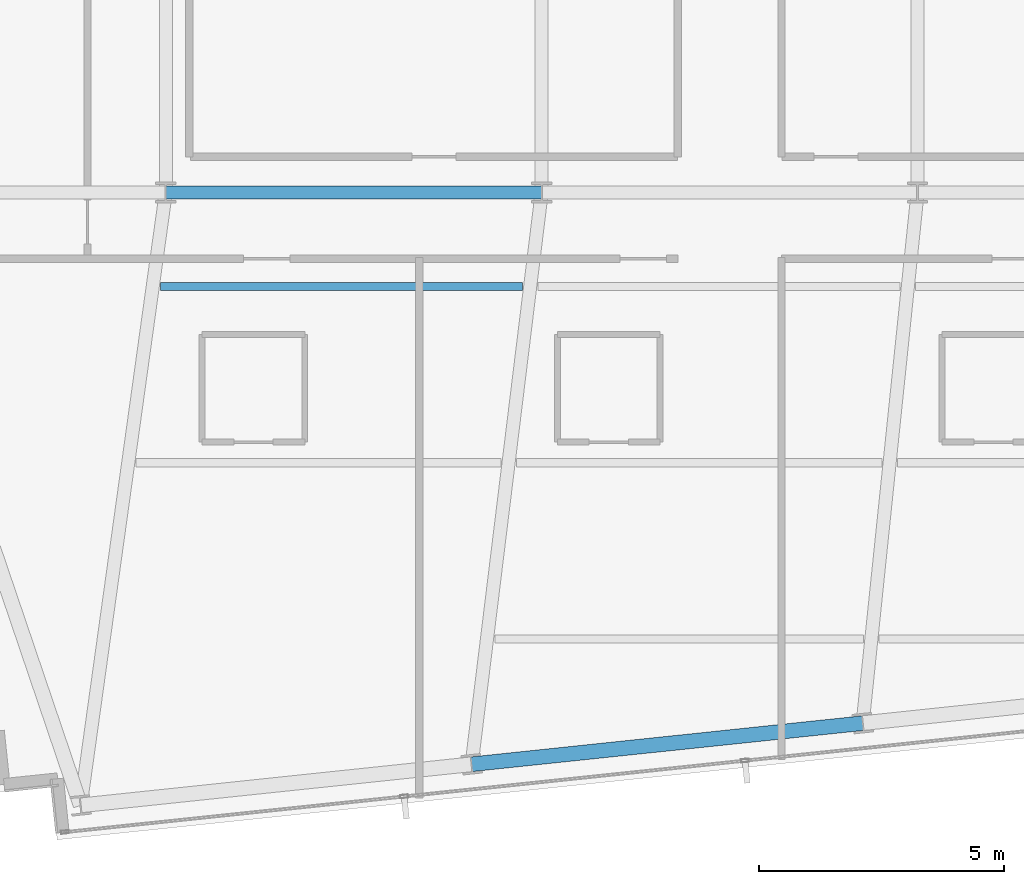
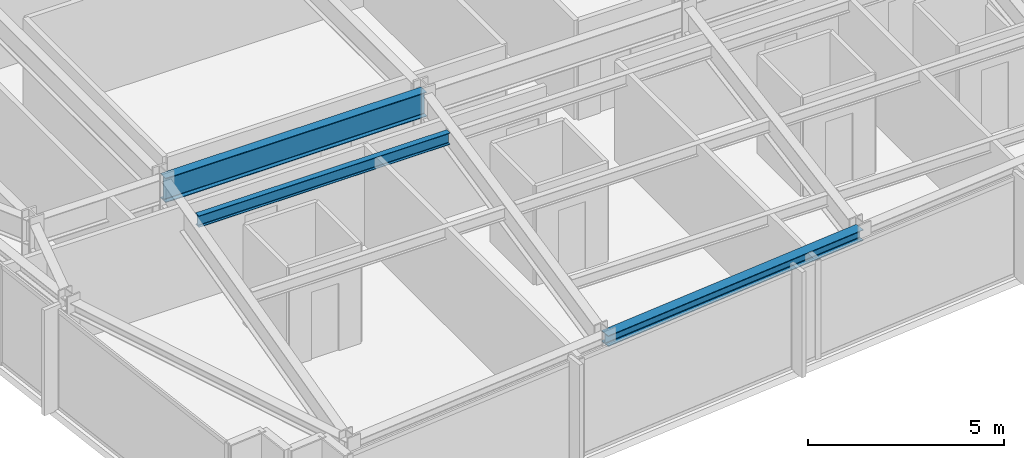
# One storey, part 6 of 33: 3 beams.
"""IFC4 building model written with IfcOpenShell, lengths in metres."""

import ifcopenshell
import ifcopenshell.guid

model = None  # the IFC model being written
_history = None  # IfcOwnerHistory: only IFC2X3 demands one
_inside = {}  # id of a spatial element -> (the spatial element, [elements in it])
_under = {}  # id of a project, library or spatial element -> (it, [spatial elements below it])
_declared = {}  # id of a project -> (the project, [libraries it declares])
_typed = {}  # id of a type object -> (the type object, [elements of that type])
_made_of = {}  # id of a material, layer set ... -> (it, [elements and type objects made of it])


def new_model(schema):
    """Start an empty IFC model of exactly this schema.

    Asked for "IFC4X3", IfcOpenShell would pick the latest addendum, in which some entities
    have other attributes; the version numbers below select the first issue.
    IFC2X3 requires an IfcOwnerHistory on every rooted entity: one is made here for all.
    """
    global model, _history
    if schema == "IFC4X3":
        model = ifcopenshell.file(schema_version=(4, 3, 0, 0))
    else:
        model = ifcopenshell.file(schema=schema)
    _inside.clear()
    _under.clear()
    _declared.clear()
    _typed.clear()
    _made_of.clear()
    _history = None
    if model.schema == "IFC2X3":
        org = make("IfcOrganization", Name="unknown")
        user = make(
            "IfcPersonAndOrganization",
            ThePerson=make("IfcPerson", FamilyName="unknown"),
            TheOrganization=org,
        )
        app = make(
            "IfcApplication",
            ApplicationDeveloper=org,
            Version="unknown",
            ApplicationFullName="unknown",
            ApplicationIdentifier="unknown",
        )
        _history = make(
            "IfcOwnerHistory",
            OwningUser=user,
            OwningApplication=app,
            ChangeAction="ADDED",
            CreationDate=0,
        )
    return model


def make(cls, **values):
    """One entity of the class cls with the attributes given. An attribute that is None is left unset."""
    return model.create_entity(
        cls, **{name: value for name, value in values.items() if value is not None}
    )


def rooted(cls, **values):
    """An entity with a GlobalId (a new one), such as an element, a storey or a relation."""
    return make(cls, GlobalId=ifcopenshell.guid.new(), OwnerHistory=_history, **values)


def si_unit(unit_type, name, prefix=None):
    """IfcSIUnit, for example si_unit("LENGTHUNIT", "METRE", prefix="MILLI")."""
    return make("IfcSIUnit", UnitType=unit_type, Prefix=prefix, Name=name)


def assignment(units):
    """IfcUnitAssignment: the units of a project."""
    return None if units is None else make("IfcUnitAssignment", Units=units)


def point(xyz):
    """IfcCartesianPoint."""
    return None if xyz is None else make("IfcCartesianPoint", Coordinates=xyz)


def direction(xyz):
    """IfcDirection."""
    return None if xyz is None else make("IfcDirection", DirectionRatios=xyz)


def frame(location, z_axis=None, x_axis=None):
    """IfcAxis2Placement3D, a coordinate frame: its origin and axes. An axis left out is left unset."""
    return make(
        "IfcAxis2Placement3D",
        Location=point(location),
        Axis=direction(z_axis),
        RefDirection=direction(x_axis),
    )


def frame_2d(location, x_axis=None):
    """IfcAxis2Placement2D, a coordinate frame in the plane: its origin and x axis."""
    return make(
        "IfcAxis2Placement2D", Location=point(location), RefDirection=direction(x_axis)
    )


def origin():
    """The frame at (0, 0, 0) with its axes left unset."""
    return frame((0.0, 0.0, 0.0))


def origin_2d():
    """The frame at (0, 0) in the plane with its x axis left unset."""
    return frame_2d((0.0, 0.0))


def place(relative_to, where):
    """IfcLocalPlacement: puts the frame where relative to a parent placement (None: the world)."""
    return make(
        "IfcLocalPlacement", PlacementRelTo=relative_to, RelativePlacement=where
    )


def context(
    kind, dimensions, precision=None, world=None, true_north=None, identifier=None
):
    """IfcGeometricRepresentationContext, for example the 3D "Model" context."""
    return make(
        "IfcGeometricRepresentationContext",
        ContextIdentifier=identifier,
        ContextType=kind,
        CoordinateSpaceDimension=dimensions,
        Precision=precision,
        WorldCoordinateSystem=world,
        TrueNorth=true_north,
    )


def subcontext(parent, identifier, kind, view, scale=None):
    """IfcGeometricRepresentationSubContext, for example "Body" below "Model"."""
    return make(
        "IfcGeometricRepresentationSubContext",
        ContextIdentifier=identifier,
        ContextType=kind,
        ParentContext=parent,
        TargetScale=scale,
        TargetView=view,
    )


def project(units=None, contexts=None):
    """IfcProject with its units and contexts."""
    return rooted(
        "IfcProject",
        Name="project",
        RepresentationContexts=contexts,
        UnitsInContext=assignment(units),
    )


def spatial(cls, under=None, at=None, **own):
    """A site, building, storey or space (cls), placed at a placement, below another one or the project."""
    s = rooted(cls, ObjectPlacement=at, **own)
    if under is not None:
        _under.setdefault(under.id(), (under, []))[1].append(s)
    return s


def profile(cls, at=None, kind="AREA", **sizes):
    """A parametric profile (cls). Its sizes go by their IFC names, for example OverallWidth=200.0."""
    return make(cls, ProfileType=kind, Position=at, **sizes)


def i_section(**sizes):
    """IfcIShapeProfileDef."""
    return profile("IfcIShapeProfileDef", **sizes)


def extrude(swept, where, along, depth):
    """IfcExtrudedAreaSolid: the profile swept, set in the frame where, extruded along a direction by depth."""
    return make(
        "IfcExtrudedAreaSolid",
        SweptArea=swept,
        Position=where,
        ExtrudedDirection=direction(along),
        Depth=depth,
    )


def shape(context_of_items, identifier, shape_type, items):
    """IfcShapeRepresentation: the items that make up one representation, for example the "Body"."""
    return make(
        "IfcShapeRepresentation",
        ContextOfItems=context_of_items,
        RepresentationIdentifier=identifier,
        RepresentationType=shape_type,
        Items=items,
    )


def material(Name=None, Category=None):
    """IfcMaterial."""
    return make("IfcMaterial", Name=Name, Category=Category)


def material_profile(
    of_material, cross_section, Name=None, Category=None, Priority=None
):
    """IfcMaterialProfile: a cross section and its material."""
    return make(
        "IfcMaterialProfile",
        Name=Name,
        Material=of_material,
        Profile=cross_section,
        Priority=Priority,
        Category=Category,
    )


def profile_set(profiles, Name=None, composite=None):
    """IfcMaterialProfileSet."""
    return make(
        "IfcMaterialProfileSet",
        Name=Name,
        MaterialProfiles=profiles,
        CompositeProfile=composite,
    )


def made_of(thing, what):
    """Note that an element or type object is made of a material, layer set ...; save() writes the relation."""
    if what is not None:
        _made_of.setdefault(what.id(), (what, []))[1].append(thing)
    return thing


def type_object(cls, material=None, **own):
    """A type object (cls), such as IfcWallType, which elements share."""
    return made_of(rooted(cls, **own), material)


def element(
    cls,
    number,
    at=None,
    inside=None,
    cuts=None,
    type_object=None,
    material=None,
    context=None,
    identifier="Body",
    shape_type=None,
    held_by="IfcProductDefinitionShape",
    body=None,
    shapes=None,
    **own,
):
    """One element of the class cls, such as IfcWall. Its Tag is "e" and its number.

    at: its placement. inside: the storey or other place that contains it. cuts: it is an
    opening in that element (IfcRelVoidsElement). A single representation is given by context,
    identifier, shape_type and body (its items); several are given by shapes. held_by: the class
    of the entity that holds the representations. save() writes the other relations.
    """
    e = rooted(cls, Tag="e%d" % number, ObjectPlacement=at, **own)
    if body is not None:
        shapes = [shape(context, identifier, shape_type, body)]
    if shapes is not None:
        e.Representation = make(held_by, Representations=shapes)
    if inside is not None:
        _inside.setdefault(inside.id(), (inside, []))[1].append(e)
    if cuts is not None:
        rooted(
            "IfcRelVoidsElement", RelatingBuildingElement=cuts, RelatedOpeningElement=e
        )
    if type_object is not None:
        _typed.setdefault(type_object.id(), (type_object, []))[1].append(e)
    return made_of(e, material)


def aggregate(whole, parts):
    """IfcRelAggregates: a whole, such as a stair, and the parts it consists of."""
    return rooted("IfcRelAggregates", RelatingObject=whole, RelatedObjects=parts)


def save(model, path):
    """Write the relations noted so far, then the file.

    IfcRelAggregates (storeys below a building ...), IfcRelContainedInSpatialStructure (elements
    in a storey), IfcRelDefinesByType, IfcRelAssociatesMaterial and IfcRelDeclares: one each for
    every whole, place, type object, material and project.
    """
    for whole, parts in _under.values():
        aggregate(whole, parts)
    for where, things in _inside.values():
        rooted(
            "IfcRelContainedInSpatialStructure",
            RelatedElements=things,
            RelatingStructure=where,
        )
    for kind, things in _typed.values():
        rooted("IfcRelDefinesByType", RelatedObjects=things, RelatingType=kind)
    for what, things in _made_of.values():
        rooted("IfcRelAssociatesMaterial", RelatedObjects=things, RelatingMaterial=what)
    for by, libraries in _declared.values():
        rooted("IfcRelDeclares", RelatingContext=by, RelatedDefinitions=libraries)
    model.write(path)


model = new_model("IFC4")

# Units and contexts
model_context = context("Model", 3, precision=1e-05, world=origin(), true_north=direction((0.0, 1.0)))
body_context = subcontext(model_context, "Body", "Model", "MODEL_VIEW")
ifc_project = project(units=[si_unit("LENGTHUNIT", "METRE"), si_unit("AREAUNIT", "SQUARE_METRE"), si_unit("VOLUMEUNIT", "CUBIC_METRE"), si_unit("PLANEANGLEUNIT", "RADIAN"), si_unit("MASSUNIT", "GRAM", prefix="KILO")], contexts=[model_context])

# Site, building, storey
site_placement = place(None, origin())
site = spatial("IfcSite", under=ifc_project, at=site_placement, CompositionType="ELEMENT")
building_placement = place(site_placement, origin())
building = spatial("IfcBuilding", under=site, at=building_placement, Name="Yelkora Congress Tower", CompositionType="ELEMENT")
storey_placement = place(building_placement, frame((0.0, 0.0, 224.300048828125)))
storey = spatial("IfcBuildingStorey", under=building, at=storey_placement, Name="L62", CompositionType="ELEMENT", Elevation=224.300048828125)

# Beams
ifc_material = material(Name="Steel S355J2", Category="steel")
ifc_material_profile_1 = material_profile(ifc_material, i_section(OverallWidth=0.26708984375, OverallDepth=0.761962890625, WebThickness=0.014404296875, FlangeThickness=0.021484375, FilletRadius=0.01708984375, at=origin_2d()), Name="IPE 750x173")
ifc_profile_set_1 = profile_set([ifc_material_profile_1], Name="Steel S355J2")
beam_type_1 = type_object("IfcBeamType", Name="BM-GIRD-IPE750", PredefinedType="BEAM", material=ifc_profile_set_1)
beam_1_placement = place(storey_placement, frame((23.0400390625, 25.199951171875, 2.698974609375), z_axis=(1.0, 0.0, 0.0), x_axis=(0.0, 1.0, 0.0)))
element("IfcBeam", 1, at=beam_1_placement, inside=storey, type_object=beam_type_1, Name="L62 Spine Grid D Girder 2", PredefinedType="BEAM", context=body_context, shape_type="SweptSolid", body=[
    extrude(i_section(OverallWidth=0.26708984375, OverallDepth=0.761962890625, WebThickness=0.014404296875, FlangeThickness=0.021484375, FilletRadius=0.01708984375, at=origin_2d()), origin(), (0.0, 0.0, 1.0), 7.679931640625),
])
ifc_material_profile_2 = material_profile(ifc_material, i_section(OverallWidth=0.169921875, OverallDepth=0.360107421875, WebThickness=0.008056640625, FlangeThickness=0.0126953125, FilletRadius=0.01806640625, at=origin_2d()), Name="IPE 360")
ifc_profile_set_2 = profile_set([ifc_material_profile_2], Name="Steel S355J2")
beam_type_2 = type_object("IfcBeamType", Name="BM-JOIST-IPE360", PredefinedType="JOIST", material=ifc_profile_set_2)
beam_2_placement = place(storey_placement, frame((22.932861328125, 23.278564453125, 2.89990234375), z_axis=(1.0, 0.0, 0.0), x_axis=(0.0, 1.0, 0.0)))
element("IfcBeam", 2, at=beam_2_placement, inside=storey, type_object=beam_type_2, Name="L62 Composite Floor Joist 9", PredefinedType="JOIST", context=body_context, shape_type="SweptSolid", body=[
    extrude(i_section(OverallWidth=0.169921875, OverallDepth=0.360107421875, WebThickness=0.008056640625, FlangeThickness=0.0126953125, FilletRadius=0.01806640625, at=origin_2d()), origin(), (0.0, 0.0, 1.0), 7.3916015625),
])
ifc_material_profile_3 = material_profile(ifc_material, i_section(OverallWidth=0.300048828125, OverallDepth=0.340087890625, WebThickness=0.011962890625, FlangeThickness=0.021484375, FilletRadius=0.027099609375, at=origin_2d()), Name="HEB 340")
ifc_profile_set_3 = profile_set([ifc_material_profile_3], Name="Steel S355J2")
beam_type_3 = type_object("IfcBeamType", Name="BM-SPAN-HEB340", PredefinedType="SPANDREL", material=ifc_profile_set_3)
beam_3_placement = place(storey_placement, frame((29.288330078125, 13.518310546875, 2.909912109375), z_axis=(0.994523256947, 0.104515507904, 0.0), x_axis=(-0.104515507904, 0.994523256947, 0.0)))
element("IfcBeam", 3, at=beam_3_placement, inside=storey, type_object=beam_type_3, Name="L62 Perimeter Beam 4", PredefinedType="SPANDREL", context=body_context, shape_type="SweptSolid", body=[
    extrude(i_section(OverallWidth=0.300048828125, OverallDepth=0.340087890625, WebThickness=0.011962890625, FlangeThickness=0.021484375, FilletRadius=0.027099609375, at=origin_2d()), origin(), (0.0, 0.0, 1.0), 8.033203125),
])

save(model, "model.ifc")
